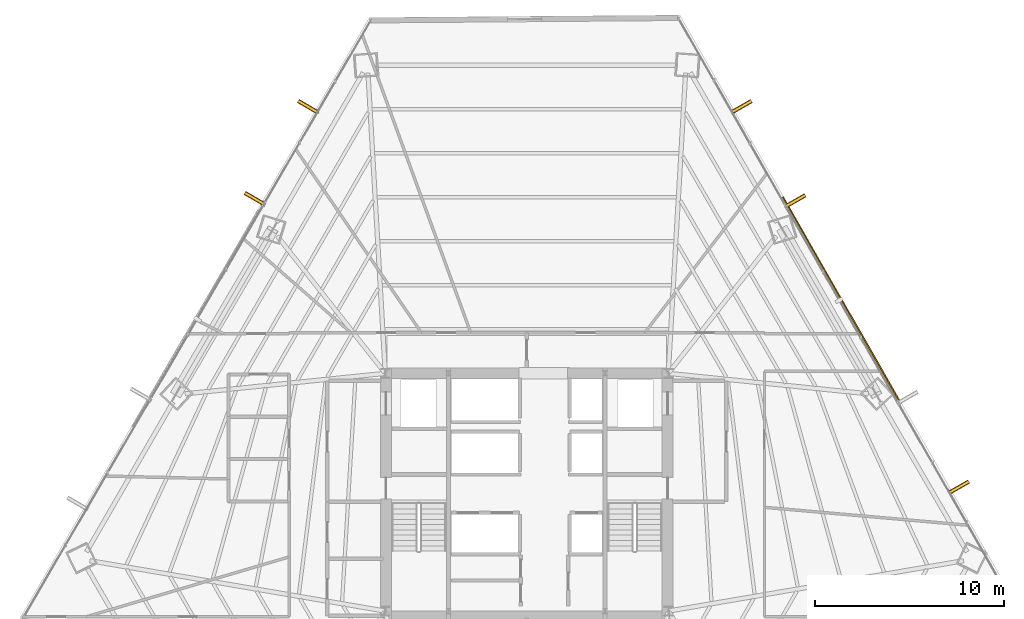
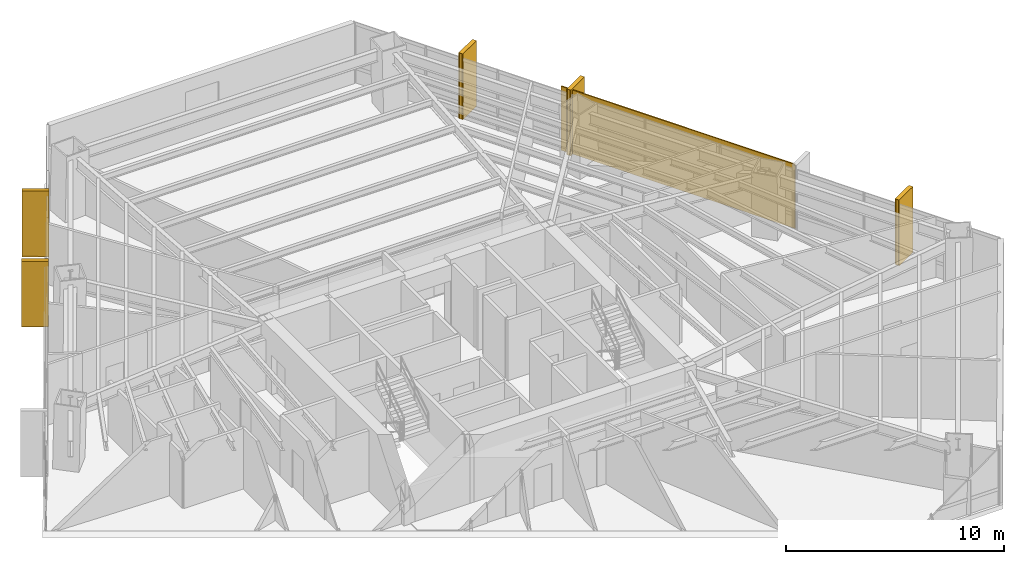
# One storey, part 36 of 36: 6 shading devices, 5 coverings.
"""IFC4 building model written with IfcOpenShell, lengths in metres."""

from ifc_helpers import new_model, si_unit, direction, frame, origin, origin_2d, place, context, subcontext, project, spatial, rectangle, extrude, source, transform, mapped, material, layer, layer_set, type_object, type_shapes, element, save


model = new_model("IFC4")

# Units and contexts
model_context = context("Model", 3, precision=1e-05, world=origin(), true_north=direction((0.0, 1.0)))
body_context = subcontext(model_context, "Body", "Model", "MODEL_VIEW")
ifc_project = project(units=[si_unit("LENGTHUNIT", "METRE"), si_unit("AREAUNIT", "SQUARE_METRE"), si_unit("VOLUMEUNIT", "CUBIC_METRE"), si_unit("PLANEANGLEUNIT", "RADIAN"), si_unit("MASSUNIT", "GRAM", prefix="KILO")], contexts=[model_context])

# Site, building, storey
site_placement = place(None, origin())
site = spatial("IfcSite", under=ifc_project, at=site_placement, CompositionType="ELEMENT")
building_placement = place(site_placement, origin())
building = spatial("IfcBuilding", under=site, at=building_placement, Name="Caelisora Broadcast Tower", CompositionType="ELEMENT")
storey_placement = place(building_placement, frame((0.0, 0.0, 60.449951171875)))
storey = spatial("IfcBuildingStorey", under=building, at=storey_placement, Name="L15", CompositionType="ELEMENT", Elevation=60.449951171875)

# Coverings
ifc_material_1 = material(Name="Kiln-Fired Terracotta Spandrel Rainscreen Cladding", Category="ceramic")
ifc_layer_1 = layer(ifc_material_1, 0.044921875, Name="Kiln-Fired Terracotta Spandrel Rainscreen Cladding")
ifc_layer_set_1 = layer_set([ifc_layer_1], Name="Kiln-Fired Terracotta Spandrel Rainscreen Cladding")
covering_type = type_object("IfcCoveringType", Name="CL-1", PredefinedType="CLADDING", material=ifc_layer_set_1)
shared_shape_1 = source(origin(), body_context, "Body", "SweptSolid", [
    extrude(rectangle(XDim=0.219970703125, YDim=1.25, at=origin_2d()), origin(), (0.0, 0.0, 1.0), 3.68994140625),
])
type_shapes(covering_type, [shared_shape_1])
for number, where, z_axis, x_axis, name in (
    (1, (49.369873046875, 44.123779296875, -0.02001953125), (0.0, 0.0, 1.0), (0.496064966839, -0.868285407383, 0.0), "L15 vertical solar fin cladding #1-1"),
    (2, (52.22119140625, 39.1318359375, -0.02001953125), (0.0, 0.0, 1.0), (0.496064966839, -0.868285407383, 0.0), "L15 vertical solar fin cladding #1-2"),
    (3, (60.889404296875, 23.95751953125, -0.02001953125), (0.0, 0.0, 1.0), (0.496064966839, -0.868285407383, 0.0), "L15 vertical solar fin cladding #1-4"),
    (4, (23.591552734375, 39.2529296875, -0.02001953125), (0.0, 0.0, 1.0), (0.50286909456, 0.864362582332, 0.0), "L15 vertical solar fin cladding #3-3"),
    (5, (26.42431640625, 44.121826171875, -0.02001953125), (0.0, 0.0, 1.0), (0.50286909456, 0.864362582332, 0.0), "L15 vertical solar fin cladding #3-4"),
):
    element("IfcCovering", number, at=place(storey_placement, frame(where, z_axis=z_axis, x_axis=x_axis)), inside=storey, type_object=covering_type, Name=name, PredefinedType="CLADDING", context=body_context, shape_type="MappedRepresentation", body=[
        mapped(shared_shape_1, transform((0.0, 0.0, 0.0), scale=1.0)),
    ])

# Shading devices
ifc_material_2 = material(Name="Extruded Terracotta Flaring Colonnade Fin", Category="ceramic")
ifc_layer_2 = layer(ifc_material_2, 0.139892578125, Name="Extruded Terracotta Flaring Colonnade Fin")
ifc_layer_set_2 = layer_set([ifc_layer_2], Name="Extruded Terracotta Flaring Colonnade Fin")
shading_device_type_1 = type_object("IfcShadingDeviceType", Name="FN-1", PredefinedType="USERDEFINED", material=ifc_layer_set_2)
shared_shape_2 = source(origin(), body_context, "Body", "SweptSolid", [
    extrude(rectangle(XDim=0.139892578125, YDim=1.25, at=origin_2d()), origin(), (0.0, 0.0, 1.0), 3.669921875),
])
type_shapes(shading_device_type_1, [shared_shape_2])
for number, where, z_axis, x_axis, name in (
    (6, (49.369873046875, 44.123779296875, -0.010009765625), (0.0, 0.0, 1.0), (0.496064966839, -0.868285407383, 0.0), "L15 vertical terracotta fin #1-1"),
    (7, (52.22119140625, 39.1318359375, -0.010009765625), (0.0, 0.0, 1.0), (0.496064966839, -0.868285407383, 0.0), "L15 vertical terracotta fin #1-2"),
    (8, (60.889404296875, 23.95751953125, -0.010009765625), (0.0, 0.0, 1.0), (0.496064966839, -0.868285407383, 0.0), "L15 vertical terracotta fin #1-4"),
    (9, (23.591552734375, 39.2529296875, -0.010009765625), (0.0, 0.0, 1.0), (0.50286909456, 0.864362582332, 0.0), "L15 vertical terracotta fin #3-3"),
    (10, (26.42431640625, 44.121826171875, -0.010009765625), (0.0, 0.0, 1.0), (0.50286909456, 0.864362582332, 0.0), "L15 vertical terracotta fin #3-4"),
):
    element("IfcShadingDevice", number, at=place(storey_placement, frame(where, z_axis=z_axis, x_axis=x_axis)), inside=storey, type_object=shading_device_type_1, Name=name, ObjectType="FIN", PredefinedType="USERDEFINED", context=body_context, shape_type="MappedRepresentation", body=[
        mapped(shared_shape_2, transform((0.0, 0.0, 0.0), scale=1.0)),
    ])
ifc_material_3 = material(Name="Perforated Glazed Terracotta Baguette Solar Screen", Category="ceramic")
ifc_layer_3 = layer(ifc_material_3, 0.06494140625, Name="Perforated Glazed Terracotta Baguette Solar Screen")
ifc_layer_set_3 = layer_set([ifc_layer_3], Name="Perforated Glazed Terracotta Baguette Solar Screen")
shading_device_type_2 = type_object("IfcShadingDeviceType", Name="SS-1", PredefinedType="USERDEFINED", material=ifc_layer_set_3)
shared_shape_3 = source(origin(), body_context, "Body", "SweptSolid", [
    extrude(rectangle(XDim=12.465087890625, YDim=0.06494140625, at=origin_2d()), origin(), (0.0, 0.0, 1.0), 3.590087890625),
])
type_shapes(shading_device_type_2, [shared_shape_3])
shading_device_placement = place(storey_placement, frame((54.6708984375, 33.936767578125, 0.0), z_axis=(0.0, 0.0, 1.0), x_axis=(-0.495913414893, 0.868371973828, 0.0)))
element("IfcShadingDevice", 11, at=shading_device_placement, inside=storey, type_object=shading_device_type_2, Name="L15 perforated terracotta solar screen #3", ObjectType="SOLAR SCREEN", PredefinedType="USERDEFINED", context=body_context, shape_type="MappedRepresentation", body=[
    mapped(shared_shape_3, transform((0.0, 0.0, 0.0), scale=1.0)),
])

save(model, "model.ifc")
